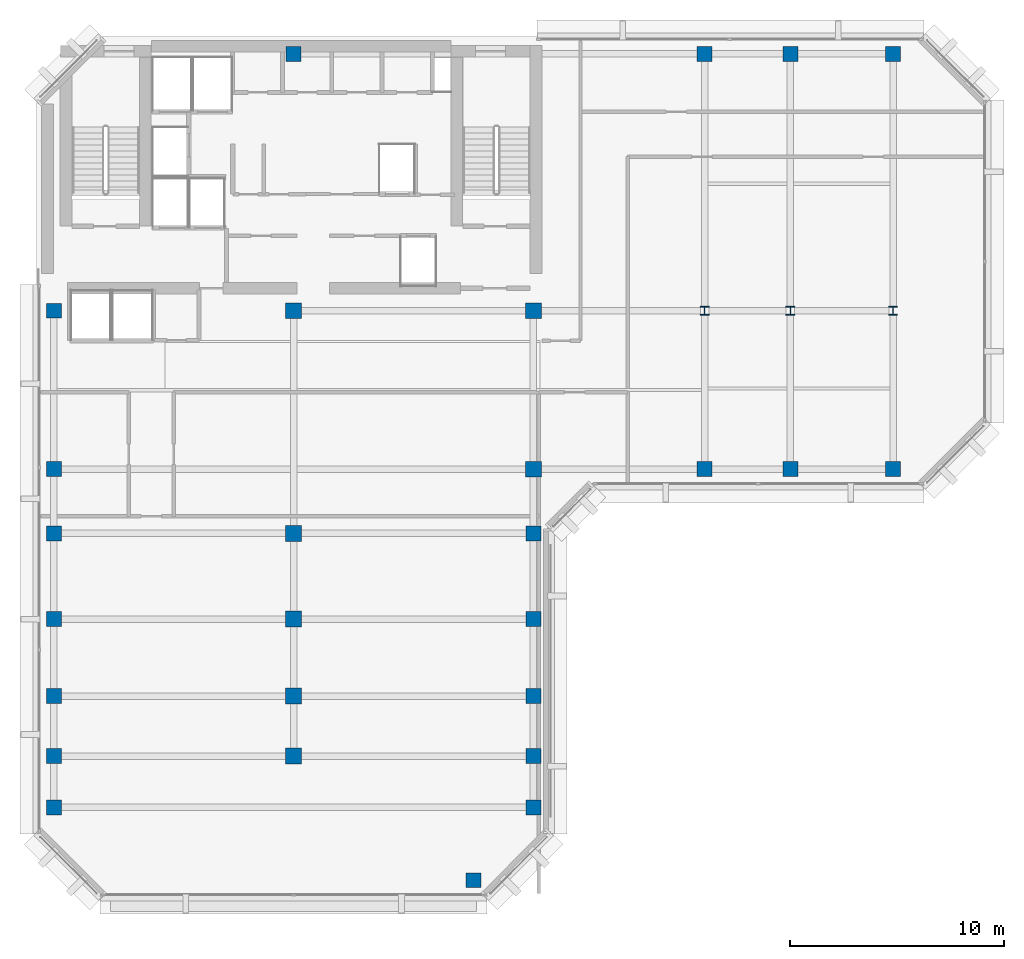
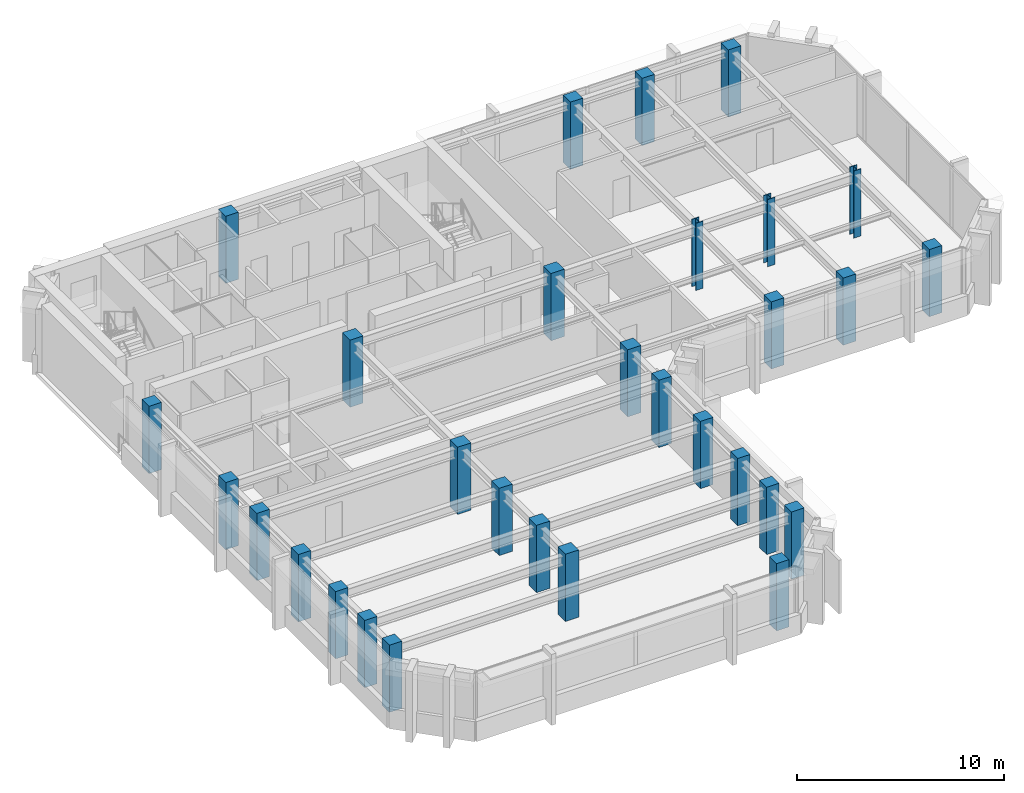
# One storey, part 1 of 11: 30 columns.
"""IFC4 building model written with IfcOpenShell, lengths in metres."""

from ifc_helpers import new_model, si_unit, direction, frame, origin, origin_2d, place, context, subcontext, project, spatial, rectangle, i_section, extrude, material, material_profile, profile_set, type_object, element, save


model = new_model("IFC4")

# Units and contexts
model_context = context("Model", 3, precision=1e-05, world=origin(), true_north=direction((0.0, 1.0)))
body_context = subcontext(model_context, "Body", "Model", "MODEL_VIEW")
ifc_project = project(units=[si_unit("LENGTHUNIT", "METRE"), si_unit("AREAUNIT", "SQUARE_METRE"), si_unit("VOLUMEUNIT", "CUBIC_METRE"), si_unit("PLANEANGLEUNIT", "RADIAN"), si_unit("MASSUNIT", "GRAM", prefix="KILO")], contexts=[model_context])

# Site, building, storey
site_placement = place(None, origin())
site = spatial("IfcSite", under=ifc_project, at=site_placement, CompositionType="ELEMENT")
building_placement = place(site_placement, origin())
building = spatial("IfcBuilding", under=site, at=building_placement, Name="Kefirva Bronze Tower", CompositionType="ELEMENT")
storey_placement = place(building_placement, frame((0.0, 0.0, 343.530029296875)))
storey = spatial("IfcBuildingStorey", under=building, at=storey_placement, Name="L84", CompositionType="ELEMENT", Elevation=343.530029296875)

# Columns
ifc_material_1 = material(Name="Concrete C50/60", Category="concrete")
ifc_material_profile_1 = material_profile(ifc_material_1, rectangle(XDim=0.699951171875, YDim=0.699951171875, at=origin_2d()), Name="RC 700x700")
ifc_profile_set_1 = profile_set([ifc_material_profile_1], Name="Concrete C50/60")
column_type_1 = type_object("IfcColumnType", Name="RC Column 700x700 Ext", PredefinedType="COLUMN", material=ifc_profile_set_1)
for number, where, z_axis, x_axis, name in (
    (1, (0.800048828125, 10.0, 0.0), (0.0, 0.0, 1.0), (1.0, 0.0, 0.0), "L84 Column C008_100"),
    (2, (0.800048828125, 12.39990234375, 0.0), (0.0, 0.0, 1.0), (1.0, 0.0, 0.0), "L84 Column C008_124"),
    (3, (0.800048828125, 15.199951171875, 0.0), (0.0, 0.0, 1.0), (1.0, 0.0, 0.0), "L84 Column C008_152"),
    (4, (0.800048828125, 18.800048828125, 0.0), (0.0, 0.0, 1.0), (1.0, 0.0, 0.0), "L84 Column C008_188"),
    (5, (0.800048828125, 22.800048828125, 0.0), (0.0, 0.0, 1.0), (1.0, 0.0, 0.0), "L84 Column C008_228"),
    (6, (0.800048828125, 25.800048828125, 0.0), (0.0, 0.0, 1.0), (1.0, 0.0, 0.0), "L84 Column C008_258"),
    (7, (0.800048828125, 33.199951171875, 0.0), (0.0, 0.0, 1.0), (1.0, 0.0, 0.0), "L84 Column C008_332"),
    (8, (12.0, 45.199951171875, 0.0), (0.0, 0.0, 1.0), (1.0, 0.0, 0.0), "L84 Column C120_452"),
    (9, (20.39990234375, 6.60009765625, 0.0), (0.0, 0.0, 1.0), (1.0, 0.0, 0.0), "L84 Column C204_066"),
    (10, (23.199951171875, 10.0, 0.0), (0.0, 0.0, 1.0), (1.0, 0.0, 0.0), "L84 Column C232_100"),
    (11, (23.199951171875, 12.39990234375, 0.0), (0.0, 0.0, 1.0), (1.0, 0.0, 0.0), "L84 Column C232_124"),
    (12, (23.199951171875, 15.199951171875, 0.0), (0.0, 0.0, 1.0), (1.0, 0.0, 0.0), "L84 Column C232_152"),
    (13, (23.199951171875, 18.800048828125, 0.0), (0.0, 0.0, 1.0), (1.0, 0.0, 0.0), "L84 Column C232_188"),
    (14, (23.199951171875, 22.800048828125, 0.0), (0.0, 0.0, 1.0), (1.0, 0.0, 0.0), "L84 Column C232_228"),
    (15, (31.199951171875, 25.800048828125, 0.0), (0.0, 0.0, 1.0), (1.0, 0.0, 0.0), "L84 Column C312_258"),
    (16, (31.199951171875, 45.199951171875, 0.0), (0.0, 0.0, 1.0), (1.0, 0.0, 0.0), "L84 Column C312_452"),
    (17, (35.199951171875, 25.800048828125, 0.0), (0.0, 0.0, 1.0), (1.0, 0.0, 0.0), "L84 Column C352_258"),
    (18, (35.199951171875, 45.199951171875, 0.0), (0.0, 0.0, 1.0), (1.0, 0.0, 0.0), "L84 Column C352_452"),
    (19, (40.0, 25.800048828125, 0.0), (0.0, 0.0, 1.0), (1.0, 0.0, 0.0), "L84 Column C400_258"),
    (20, (40.0, 45.199951171875, 0.0), (0.0, 0.0, 1.0), (1.0, 0.0, 0.0), "L84 Column C400_452"),
):
    element("IfcColumn", number, at=place(storey_placement, frame(where, z_axis=z_axis, x_axis=x_axis)), inside=storey, type_object=column_type_1, Name=name, PredefinedType="COLUMN", context=body_context, shape_type="SweptSolid", body=[
        extrude(rectangle(XDim=0.699951171875, YDim=0.699951171875, at=origin_2d()), origin(), (0.0, 0.0, 1.0), 3.9599609375),
    ])
ifc_material_profile_2 = material_profile(ifc_material_1, rectangle(XDim=0.739990234375, YDim=0.739990234375, at=origin_2d()), Name="RC 740x740")
ifc_profile_set_2 = profile_set([ifc_material_profile_2], Name="Concrete C50/60")
column_type_2 = type_object("IfcColumnType", Name="RC Column 740x740 Int", PredefinedType="COLUMN", material=ifc_profile_set_2)
for number, where, z_axis, x_axis, name in (
    (21, (12.0, 12.39990234375, 0.0), (0.0, 0.0, 1.0), (1.0, 0.0, 0.0), "L84 Column C120_124"),
    (22, (12.0, 15.199951171875, 0.0), (0.0, 0.0, 1.0), (1.0, 0.0, 0.0), "L84 Column C120_152"),
    (23, (12.0, 18.800048828125, 0.0), (0.0, 0.0, 1.0), (1.0, 0.0, 0.0), "L84 Column C120_188"),
    (24, (12.0, 22.800048828125, 0.0), (0.0, 0.0, 1.0), (1.0, 0.0, 0.0), "L84 Column C120_228"),
    (25, (12.0, 33.199951171875, 0.0), (0.0, 0.0, 1.0), (1.0, 0.0, 0.0), "L84 Column C120_332"),
    (26, (23.199951171875, 25.800048828125, 0.0), (0.0, 0.0, 1.0), (1.0, 0.0, 0.0), "L84 Column C232_258"),
    (27, (23.199951171875, 33.199951171875, 0.0), (0.0, 0.0, 1.0), (1.0, 0.0, 0.0), "L84 Column C232_332"),
):
    element("IfcColumn", number, at=place(storey_placement, frame(where, z_axis=z_axis, x_axis=x_axis)), inside=storey, type_object=column_type_2, Name=name, PredefinedType="COLUMN", context=body_context, shape_type="SweptSolid", body=[
        extrude(rectangle(XDim=0.739990234375, YDim=0.739990234375, at=origin_2d()), origin(), (0.0, 0.0, 1.0), 3.9599609375),
    ])
ifc_material_2 = material(Name="Steel S460", Category="steel")
ifc_material_profile_3 = material_profile(ifc_material_2, i_section(OverallWidth=0.406005859375, OverallDepth=0.416015625, WebThickness=0.02197265625, FlangeThickness=0.035888671875, at=origin_2d()), Name="HD 400x382")
ifc_profile_set_3 = profile_set([ifc_material_profile_3], Name="Steel S460")
column_type_3 = type_object("IfcColumnType", Name="Steel Column HD 400x382", PredefinedType="COLUMN", material=ifc_profile_set_3)
for number, where, z_axis, x_axis, name in (
    (28, (31.199951171875, 33.199951171875, 0.0), (0.0, 0.0, 1.0), (1.0, 0.0, 0.0), "L84 Column C312_332"),
    (29, (35.199951171875, 33.199951171875, 0.0), (0.0, 0.0, 1.0), (1.0, 0.0, 0.0), "L84 Column C352_332"),
    (30, (40.0, 33.199951171875, 0.0), (0.0, 0.0, 1.0), (1.0, 0.0, 0.0), "L84 Column C400_332"),
):
    element("IfcColumn", number, at=place(storey_placement, frame(where, z_axis=z_axis, x_axis=x_axis)), inside=storey, type_object=column_type_3, Name=name, PredefinedType="COLUMN", context=body_context, shape_type="SweptSolid", body=[
        extrude(i_section(OverallWidth=0.406005859375, OverallDepth=0.416015625, WebThickness=0.02197265625, FlangeThickness=0.035888671875, at=origin_2d()), origin(), (0.0, 0.0, 1.0), 3.9599609375),
    ])

save(model, "model.ifc")
